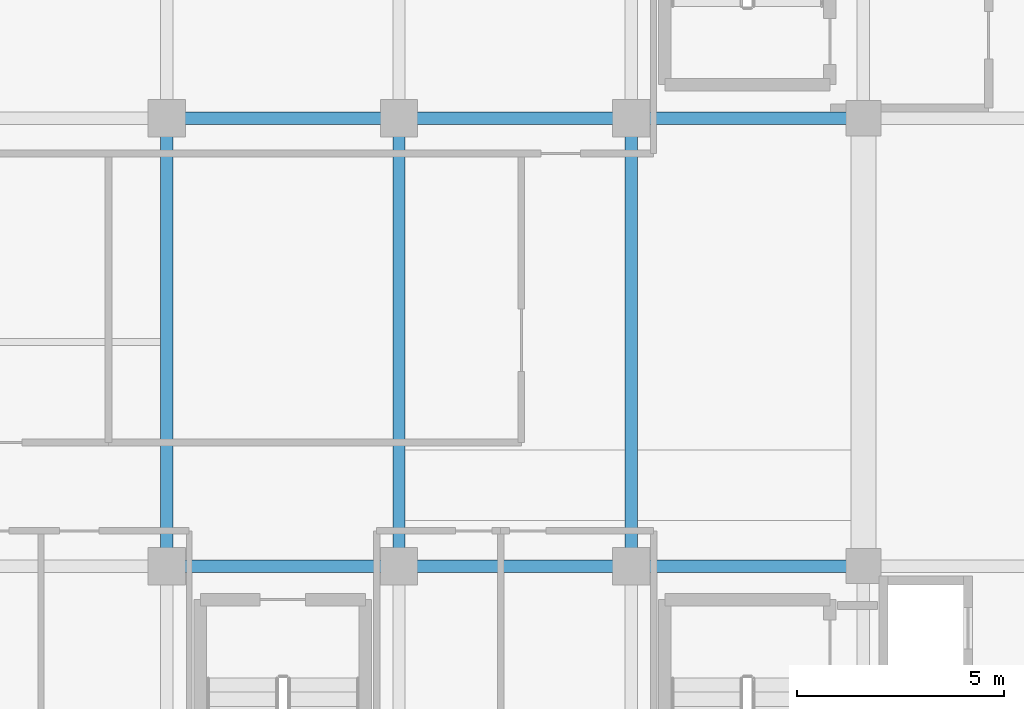
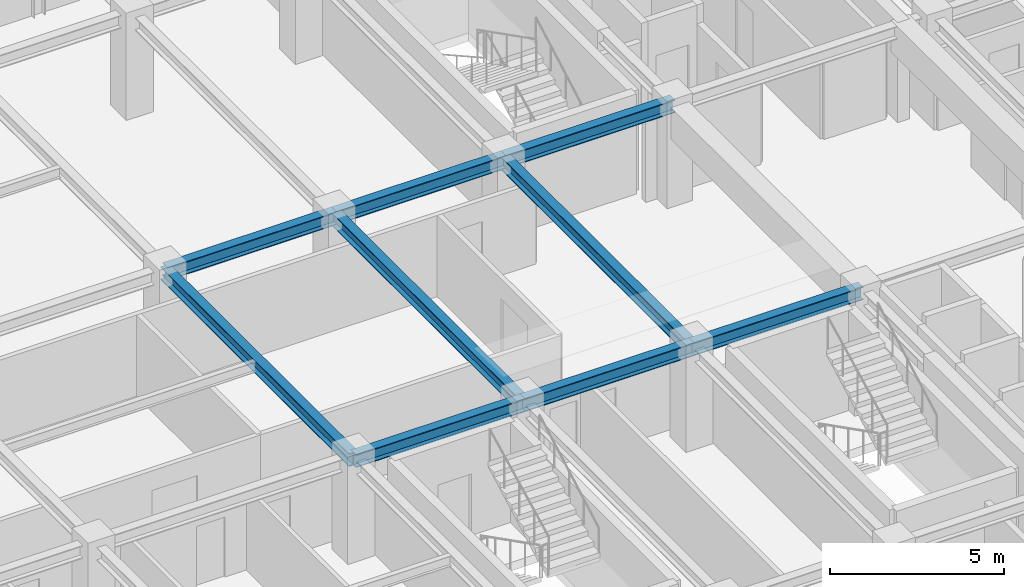
# One storey, part 11 of 36: 9 beams.
"""IFC4 building model written with IfcOpenShell, lengths in metres."""

from ifc_helpers import new_model, si_unit, direction, frame, origin, origin_2d, place, context, subcontext, project, spatial, i_section, extrude, source, transform, mapped, material, material_profile, profile_set, type_object, element, save


model = new_model("IFC4")

# Units and contexts
model_context = context("Model", 3, precision=1e-05, world=origin(), true_north=direction((0.0, 1.0)))
body_context = subcontext(model_context, "Body", "Model", "MODEL_VIEW")
ifc_project = project(units=[si_unit("LENGTHUNIT", "METRE"), si_unit("AREAUNIT", "SQUARE_METRE"), si_unit("VOLUMEUNIT", "CUBIC_METRE"), si_unit("PLANEANGLEUNIT", "RADIAN"), si_unit("MASSUNIT", "GRAM", prefix="KILO")], contexts=[model_context])

# Site, building, storey
site_placement = place(None, origin())
site = spatial("IfcSite", under=ifc_project, at=site_placement, CompositionType="ELEMENT")
building_placement = place(site_placement, origin())
building = spatial("IfcBuilding", under=site, at=building_placement, Name="Nahalor Promenade Grand Hotel", CompositionType="ELEMENT")
storey_placement = place(building_placement, frame((0.0, 0.0, 319.550048828125)))
storey = spatial("IfcBuildingStorey", under=building, at=storey_placement, Name="L82", CompositionType="ELEMENT", Elevation=319.550048828125)

# Beams
ifc_material = material(Name="Steel S355JR", Category="steel")
ifc_material_profile = material_profile(ifc_material, i_section(OverallWidth=0.3, OverallDepth=0.45, WebThickness=0.014, FlangeThickness=0.026, at=origin_2d()), Name="HEB 450")
ifc_profile_set = profile_set([ifc_material_profile], Name="Steel S355JR")
beam_type = type_object("IfcBeamType", Name="Beam-Girder-HEB450", PredefinedType="BEAM", material=ifc_profile_set)
shared_shape_1 = source(origin(), body_context, "Body", "SweptSolid", [
    extrude(i_section(OverallWidth=0.3, OverallDepth=0.45, WebThickness=0.014, FlangeThickness=0.026, at=origin_2d()), origin(), (0.0, 0.0, 1.0), 5.599853515625),
])
for number, where, z_axis, x_axis, name in (
    (1, (-8.39990234375, -5.39990234375, 3.27490234375), (1.0, 0.0, 0.0), (0.0, 1.0, 0.0), "BM-L82-GX-1-2"),
    (2, (2.800048828125, -5.39990234375, 3.27490234375), (1.0, 0.0, 0.0), (0.0, 1.0, 0.0), "BM-L82-GX-1-4"),
    (3, (-8.39990234375, 5.39990234375, 3.27490234375), (1.0, 0.0, 0.0), (0.0, 1.0, 0.0), "BM-L82-GX-2-2"),
    (4, (2.800048828125, 5.39990234375, 3.27490234375), (1.0, 0.0, 0.0), (0.0, 1.0, 0.0), "BM-L82-GX-2-4"),
):
    element("IfcBeam", number, at=place(storey_placement, frame(where, z_axis=z_axis, x_axis=x_axis)), inside=storey, type_object=beam_type, Name=name, PredefinedType="BEAM", context=body_context, shape_type="MappedRepresentation", body=[
        mapped(shared_shape_1, transform((0.0, 0.0, 0.0), scale=1.0)),
    ])
shared_shape_2 = source(origin(), body_context, "Body", "SweptSolid", [
    extrude(i_section(OverallWidth=0.3, OverallDepth=0.45, WebThickness=0.014, FlangeThickness=0.026, at=origin_2d()), origin(), (0.0, 0.0, 1.0), 5.60009765625),
])
for number, where, z_axis, x_axis, name in (
    (5, (-2.800048828125, -5.39990234375, 3.27490234375), (1.0, 0.0, 0.0), (0.0, 1.0, 0.0), "BM-L82-GX-1-3"),
    (6, (-2.800048828125, 5.39990234375, 3.27490234375), (1.0, 0.0, 0.0), (0.0, 1.0, 0.0), "BM-L82-GX-2-3"),
):
    element("IfcBeam", number, at=place(storey_placement, frame(where, z_axis=z_axis, x_axis=x_axis)), inside=storey, type_object=beam_type, Name=name, PredefinedType="BEAM", context=body_context, shape_type="MappedRepresentation", body=[
        mapped(shared_shape_2, transform((0.0, 0.0, 0.0), scale=1.0)),
    ])
shared_shape_3 = source(origin(), body_context, "Body", "SweptSolid", [
    extrude(i_section(OverallWidth=0.3, OverallDepth=0.45, WebThickness=0.014, FlangeThickness=0.026, at=origin_2d()), origin(), (0.0, 0.0, 1.0), 10.7998046875),
])
for number, where, z_axis, x_axis, name in (
    (7, (-8.39990234375, -5.39990234375, 3.27490234375), (0.0, 1.0, 0.0), (-1.0, 0.0, 0.0), "BM-L82-GY-1-2"),
    (8, (-2.800048828125, -5.39990234375, 3.27490234375), (0.0, 1.0, 0.0), (-1.0, 0.0, 0.0), "BM-L82-GY-2-2"),
    (9, (2.800048828125, -5.39990234375, 3.27490234375), (0.0, 1.0, 0.0), (-1.0, 0.0, 0.0), "BM-L82-GY-3-2"),
):
    element("IfcBeam", number, at=place(storey_placement, frame(where, z_axis=z_axis, x_axis=x_axis)), inside=storey, type_object=beam_type, Name=name, PredefinedType="BEAM", context=body_context, shape_type="MappedRepresentation", body=[
        mapped(shared_shape_3, transform((0.0, 0.0, 0.0), scale=1.0)),
    ])

save(model, "model.ifc")
